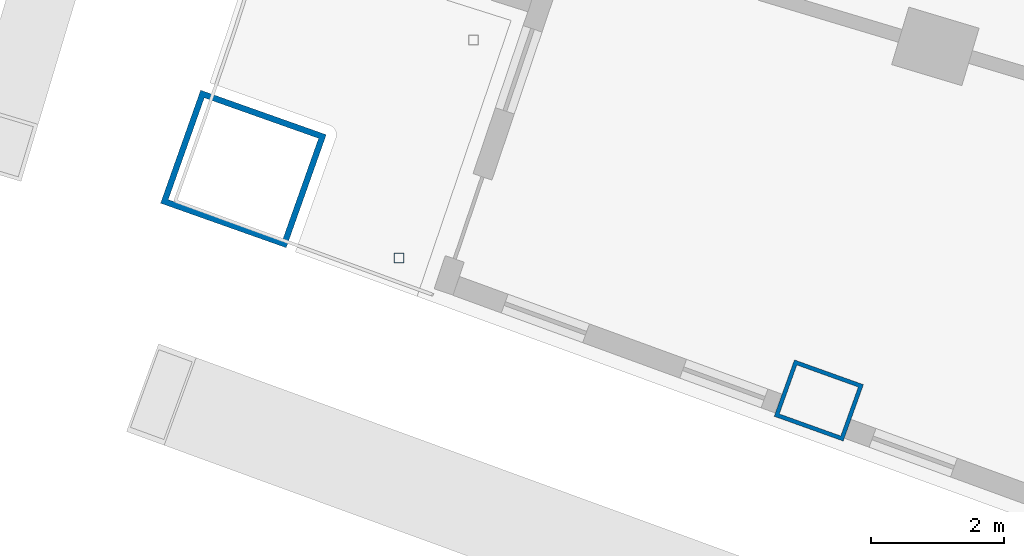
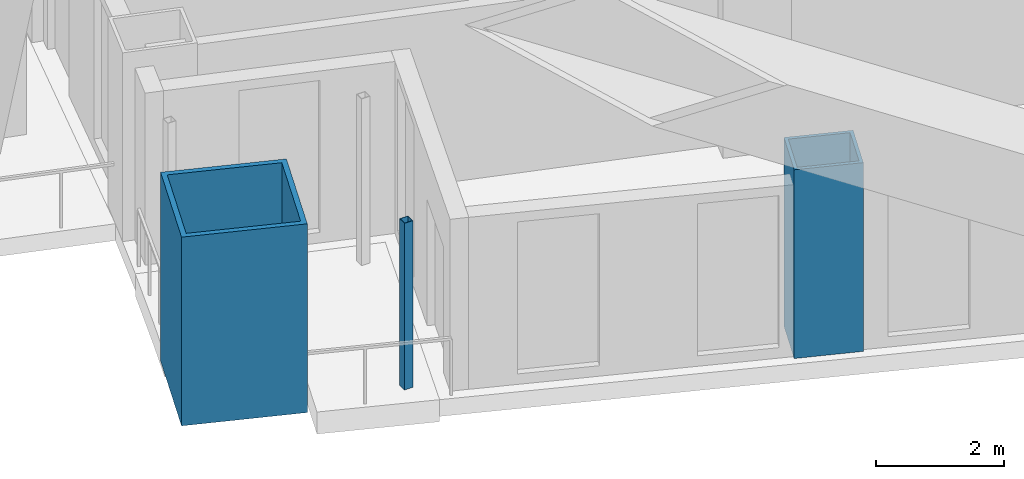
# One storey, part 1 of 25: 3 columns.
"""IFC4 building model written with IfcOpenShell, lengths in metres."""

from ifc_helpers import new_model, si_unit, direction, frame, origin, origin_2d, place, context, subcontext, project, spatial, hollow_rectangle, extrude, material, material_profile, profile_set, type_object, element, save


model = new_model("IFC4")

# Units and contexts
model_context = context("Model", 3, precision=1e-05, world=origin(), true_north=direction((0.0, 1.0)))
body_context = subcontext(model_context, "Body", "Model", "MODEL_VIEW")
ifc_project = project(units=[si_unit("LENGTHUNIT", "METRE"), si_unit("AREAUNIT", "SQUARE_METRE"), si_unit("VOLUMEUNIT", "CUBIC_METRE"), si_unit("PLANEANGLEUNIT", "RADIAN"), si_unit("MASSUNIT", "GRAM", prefix="KILO")], contexts=[model_context])

# Site, building, storey
site_placement = place(None, origin())
site = spatial("IfcSite", under=ifc_project, at=site_placement, CompositionType="ELEMENT")
building_placement = place(site_placement, origin())
building = spatial("IfcBuilding", under=site, at=building_placement, Name="Alderwake Tower", CompositionType="ELEMENT")
storey_placement = place(building_placement, frame((0.0, 0.0, 64.39990234375)))
storey = spatial("IfcBuildingStorey", under=building, at=storey_placement, Name="L15", CompositionType="ELEMENT", Elevation=64.39990234375)

# Columns
ifc_material_1 = material(Name="Steel ASTM A572 Grade 50 concrete filled C70/85", Category="concrete")
ifc_material_profile_1 = material_profile(ifc_material_1, hollow_rectangle(XDim=0.89990234375, YDim=1.10009765625, WallThickness=0.06005859375, at=origin_2d()), Name="BOX 1100X900X60")
ifc_profile_set_1 = profile_set([ifc_material_profile_1], Name="Steel ASTM A572 Grade 50 concrete filled C70/85")
column_type_1 = type_object("IfcColumnType", Name="End column Z1", PredefinedType="COLUMN", material=ifc_profile_set_1)
column_1_placement = place(storey_placement, frame((19.965576171875, 25.1484375, 0.0), z_axis=(0.0, 0.0, 1.0), x_axis=(0.337584879279, 0.9412950915, 0.0)))
element("IfcColumn", 1, at=column_1_placement, inside=storey, type_object=column_type_1, Name="Column R01-C1", PredefinedType="COLUMN", context=body_context, shape_type="SweptSolid", body=[
    extrude(hollow_rectangle(XDim=0.89990234375, YDim=1.10009765625, WallThickness=0.06005859375, at=origin_2d()), origin(), (0.0, 0.0, 1.0), 3.60009765625),
])
ifc_material_2 = material(Name="Steel ASTM A500 Grade C", Category="steel")
ifc_material_profile_2 = material_profile(ifc_material_2, hollow_rectangle(XDim=0.15234375, YDim=0.15234375, WallThickness=0.0087890625, at=origin_2d()), Name="HSS6X6X3/8")
ifc_profile_set_2 = profile_set([ifc_material_profile_2], Name="Steel ASTM A500 Grade C")
column_type_2 = type_object("IfcColumnType", Name="Light post HSS6X6X3/8", PredefinedType="COLUMN", material=ifc_profile_set_2)
column_2_placement = place(storey_placement, frame((13.66796875, 27.28759765625, 0.0), z_axis=(0.0, 0.0, 1.0), x_axis=(1.0, 0.0, 0.0)))
element("IfcColumn", 2, at=column_2_placement, inside=storey, type_object=column_type_2, Name="Terrace post RS2", PredefinedType="COLUMN", context=body_context, shape_type="SweptSolid", body=[
    extrude(hollow_rectangle(XDim=0.15234375, YDim=0.15234375, WallThickness=0.0087890625, at=origin_2d()), origin(), (0.0, 0.0, 1.0), 3.18017578125),
])
ifc_material_3 = material(Name="Steel ASTM A572 Grade 50 concrete filled C70/85", Category="concrete")
ifc_material_profile_3 = material_profile(ifc_material_3, hollow_rectangle(XDim=1.800048828125, YDim=2.0, WallThickness=0.090087890625, at=origin_2d()), Name="BOX 2000X1800X90")
ifc_profile_set_3 = profile_set([ifc_material_profile_3], Name="Steel ASTM A572 Grade 50 concrete filled C70/85")
column_type_3 = type_object("IfcColumnType", Name="Mega column Z1", PredefinedType="COLUMN", material=ifc_profile_set_3)
column_3_placement = place(storey_placement, frame((11.330810546875, 28.622802734375, 0.0), z_axis=(0.0, 0.0, 1.0), x_axis=(0.334130947791, 0.942526662609, 0.0)))
element("IfcColumn", 3, at=column_3_placement, inside=storey, type_object=column_type_3, Name="Column R01-C0", PredefinedType="COLUMN", context=body_context, shape_type="SweptSolid", body=[
    extrude(hollow_rectangle(XDim=1.800048828125, YDim=2.0, WallThickness=0.090087890625, at=origin_2d()), origin(), (0.0, 0.0, 1.0), 3.60009765625),
])

save(model, "model.ifc")
